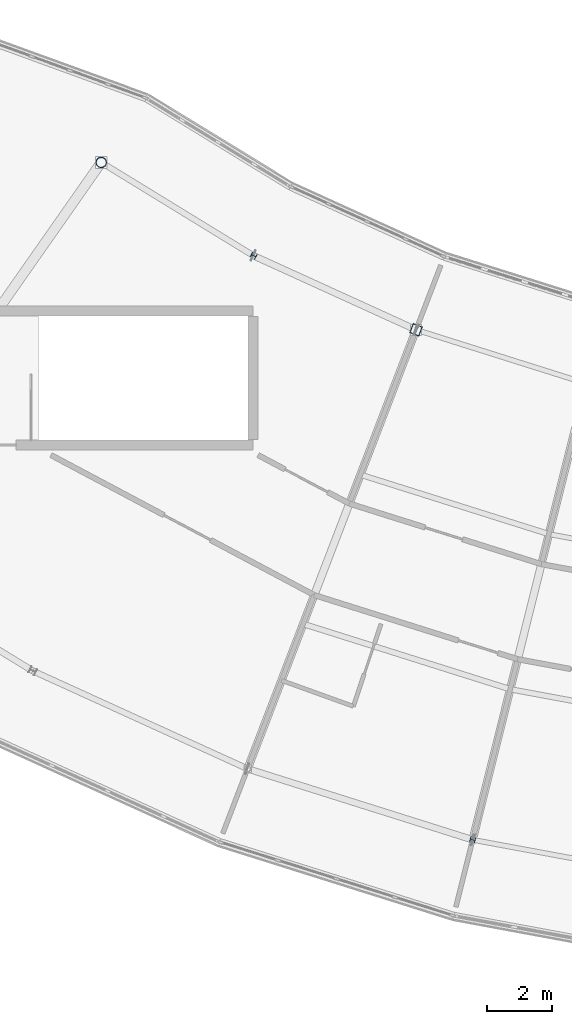
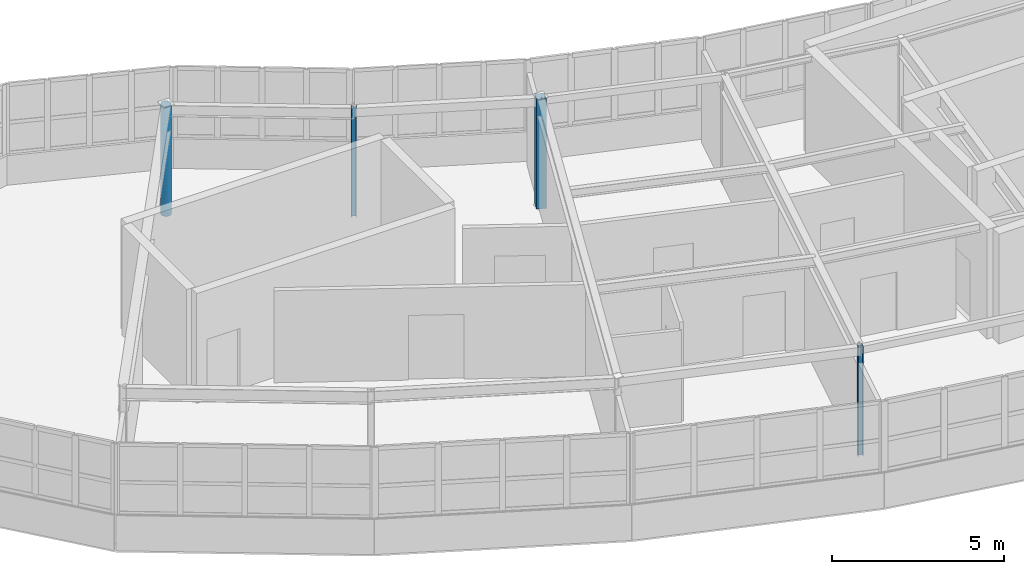
# One storey, part 2 of 60: 4 columns.
"""IFC4 building model written with IfcOpenShell, lengths in metres."""

import ifcopenshell
import ifcopenshell.guid

model = None  # the IFC model being written
_history = None  # IfcOwnerHistory: only IFC2X3 demands one
_inside = {}  # id of a spatial element -> (the spatial element, [elements in it])
_under = {}  # id of a project, library or spatial element -> (it, [spatial elements below it])
_declared = {}  # id of a project -> (the project, [libraries it declares])
_typed = {}  # id of a type object -> (the type object, [elements of that type])
_made_of = {}  # id of a material, layer set ... -> (it, [elements and type objects made of it])


def new_model(schema):
    """Start an empty IFC model of exactly this schema.

    Asked for "IFC4X3", IfcOpenShell would pick the latest addendum, in which some entities
    have other attributes; the version numbers below select the first issue.
    IFC2X3 requires an IfcOwnerHistory on every rooted entity: one is made here for all.
    """
    global model, _history
    if schema == "IFC4X3":
        model = ifcopenshell.file(schema_version=(4, 3, 0, 0))
    else:
        model = ifcopenshell.file(schema=schema)
    _inside.clear()
    _under.clear()
    _declared.clear()
    _typed.clear()
    _made_of.clear()
    _history = None
    if model.schema == "IFC2X3":
        org = make("IfcOrganization", Name="unknown")
        user = make(
            "IfcPersonAndOrganization",
            ThePerson=make("IfcPerson", FamilyName="unknown"),
            TheOrganization=org,
        )
        app = make(
            "IfcApplication",
            ApplicationDeveloper=org,
            Version="unknown",
            ApplicationFullName="unknown",
            ApplicationIdentifier="unknown",
        )
        _history = make(
            "IfcOwnerHistory",
            OwningUser=user,
            OwningApplication=app,
            ChangeAction="ADDED",
            CreationDate=0,
        )
    return model


def make(cls, **values):
    """One entity of the class cls with the attributes given. An attribute that is None is left unset."""
    return model.create_entity(
        cls, **{name: value for name, value in values.items() if value is not None}
    )


def rooted(cls, **values):
    """An entity with a GlobalId (a new one), such as an element, a storey or a relation."""
    return make(cls, GlobalId=ifcopenshell.guid.new(), OwnerHistory=_history, **values)


def si_unit(unit_type, name, prefix=None):
    """IfcSIUnit, for example si_unit("LENGTHUNIT", "METRE", prefix="MILLI")."""
    return make("IfcSIUnit", UnitType=unit_type, Prefix=prefix, Name=name)


def assignment(units):
    """IfcUnitAssignment: the units of a project."""
    return None if units is None else make("IfcUnitAssignment", Units=units)


def point(xyz):
    """IfcCartesianPoint."""
    return None if xyz is None else make("IfcCartesianPoint", Coordinates=xyz)


def direction(xyz):
    """IfcDirection."""
    return None if xyz is None else make("IfcDirection", DirectionRatios=xyz)


def frame(location, z_axis=None, x_axis=None):
    """IfcAxis2Placement3D, a coordinate frame: its origin and axes. An axis left out is left unset."""
    return make(
        "IfcAxis2Placement3D",
        Location=point(location),
        Axis=direction(z_axis),
        RefDirection=direction(x_axis),
    )


def frame_2d(location, x_axis=None):
    """IfcAxis2Placement2D, a coordinate frame in the plane: its origin and x axis."""
    return make(
        "IfcAxis2Placement2D", Location=point(location), RefDirection=direction(x_axis)
    )


def origin():
    """The frame at (0, 0, 0) with its axes left unset."""
    return frame((0.0, 0.0, 0.0))


def origin_2d():
    """The frame at (0, 0) in the plane with its x axis left unset."""
    return frame_2d((0.0, 0.0))


def place(relative_to, where):
    """IfcLocalPlacement: puts the frame where relative to a parent placement (None: the world)."""
    return make(
        "IfcLocalPlacement", PlacementRelTo=relative_to, RelativePlacement=where
    )


def context(
    kind, dimensions, precision=None, world=None, true_north=None, identifier=None
):
    """IfcGeometricRepresentationContext, for example the 3D "Model" context."""
    return make(
        "IfcGeometricRepresentationContext",
        ContextIdentifier=identifier,
        ContextType=kind,
        CoordinateSpaceDimension=dimensions,
        Precision=precision,
        WorldCoordinateSystem=world,
        TrueNorth=true_north,
    )


def subcontext(parent, identifier, kind, view, scale=None):
    """IfcGeometricRepresentationSubContext, for example "Body" below "Model"."""
    return make(
        "IfcGeometricRepresentationSubContext",
        ContextIdentifier=identifier,
        ContextType=kind,
        ParentContext=parent,
        TargetScale=scale,
        TargetView=view,
    )


def project(units=None, contexts=None):
    """IfcProject with its units and contexts."""
    return rooted(
        "IfcProject",
        Name="project",
        RepresentationContexts=contexts,
        UnitsInContext=assignment(units),
    )


def spatial(cls, under=None, at=None, **own):
    """A site, building, storey or space (cls), placed at a placement, below another one or the project."""
    s = rooted(cls, ObjectPlacement=at, **own)
    if under is not None:
        _under.setdefault(under.id(), (under, []))[1].append(s)
    return s


def profile(cls, at=None, kind="AREA", **sizes):
    """A parametric profile (cls). Its sizes go by their IFC names, for example OverallWidth=200.0."""
    return make(cls, ProfileType=kind, Position=at, **sizes)


def hollow_rectangle(**sizes):
    """IfcRectangleHollowProfileDef."""
    return profile("IfcRectangleHollowProfileDef", **sizes)


def hollow_circle(**sizes):
    """IfcCircleHollowProfileDef."""
    return profile("IfcCircleHollowProfileDef", **sizes)


def i_section(**sizes):
    """IfcIShapeProfileDef."""
    return profile("IfcIShapeProfileDef", **sizes)


def extrude(swept, where, along, depth):
    """IfcExtrudedAreaSolid: the profile swept, set in the frame where, extruded along a direction by depth."""
    return make(
        "IfcExtrudedAreaSolid",
        SweptArea=swept,
        Position=where,
        ExtrudedDirection=direction(along),
        Depth=depth,
    )


def shape(context_of_items, identifier, shape_type, items):
    """IfcShapeRepresentation: the items that make up one representation, for example the "Body"."""
    return make(
        "IfcShapeRepresentation",
        ContextOfItems=context_of_items,
        RepresentationIdentifier=identifier,
        RepresentationType=shape_type,
        Items=items,
    )


def material(Name=None, Category=None):
    """IfcMaterial."""
    return make("IfcMaterial", Name=Name, Category=Category)


def material_profile(
    of_material, cross_section, Name=None, Category=None, Priority=None
):
    """IfcMaterialProfile: a cross section and its material."""
    return make(
        "IfcMaterialProfile",
        Name=Name,
        Material=of_material,
        Profile=cross_section,
        Priority=Priority,
        Category=Category,
    )


def profile_set(profiles, Name=None, composite=None):
    """IfcMaterialProfileSet."""
    return make(
        "IfcMaterialProfileSet",
        Name=Name,
        MaterialProfiles=profiles,
        CompositeProfile=composite,
    )


def made_of(thing, what):
    """Note that an element or type object is made of a material, layer set ...; save() writes the relation."""
    if what is not None:
        _made_of.setdefault(what.id(), (what, []))[1].append(thing)
    return thing


def type_object(cls, material=None, **own):
    """A type object (cls), such as IfcWallType, which elements share."""
    return made_of(rooted(cls, **own), material)


def element(
    cls,
    number,
    at=None,
    inside=None,
    cuts=None,
    type_object=None,
    material=None,
    context=None,
    identifier="Body",
    shape_type=None,
    held_by="IfcProductDefinitionShape",
    body=None,
    shapes=None,
    **own,
):
    """One element of the class cls, such as IfcWall. Its Tag is "e" and its number.

    at: its placement. inside: the storey or other place that contains it. cuts: it is an
    opening in that element (IfcRelVoidsElement). A single representation is given by context,
    identifier, shape_type and body (its items); several are given by shapes. held_by: the class
    of the entity that holds the representations. save() writes the other relations.
    """
    e = rooted(cls, Tag="e%d" % number, ObjectPlacement=at, **own)
    if body is not None:
        shapes = [shape(context, identifier, shape_type, body)]
    if shapes is not None:
        e.Representation = make(held_by, Representations=shapes)
    if inside is not None:
        _inside.setdefault(inside.id(), (inside, []))[1].append(e)
    if cuts is not None:
        rooted(
            "IfcRelVoidsElement", RelatingBuildingElement=cuts, RelatedOpeningElement=e
        )
    if type_object is not None:
        _typed.setdefault(type_object.id(), (type_object, []))[1].append(e)
    return made_of(e, material)


def aggregate(whole, parts):
    """IfcRelAggregates: a whole, such as a stair, and the parts it consists of."""
    return rooted("IfcRelAggregates", RelatingObject=whole, RelatedObjects=parts)


def save(model, path):
    """Write the relations noted so far, then the file.

    IfcRelAggregates (storeys below a building ...), IfcRelContainedInSpatialStructure (elements
    in a storey), IfcRelDefinesByType, IfcRelAssociatesMaterial and IfcRelDeclares: one each for
    every whole, place, type object, material and project.
    """
    for whole, parts in _under.values():
        aggregate(whole, parts)
    for where, things in _inside.values():
        rooted(
            "IfcRelContainedInSpatialStructure",
            RelatedElements=things,
            RelatingStructure=where,
        )
    for kind, things in _typed.values():
        rooted("IfcRelDefinesByType", RelatedObjects=things, RelatingType=kind)
    for what, things in _made_of.values():
        rooted("IfcRelAssociatesMaterial", RelatedObjects=things, RelatingMaterial=what)
    for by, libraries in _declared.values():
        rooted("IfcRelDeclares", RelatingContext=by, RelatedDefinitions=libraries)
    model.write(path)


model = new_model("IFC4")

# Units and contexts
model_context = context("Model", 3, precision=1e-05, world=origin(), true_north=direction((0.0, 1.0)))
body_context = subcontext(model_context, "Body", "Model", "MODEL_VIEW")
ifc_project = project(units=[si_unit("LENGTHUNIT", "METRE"), si_unit("AREAUNIT", "SQUARE_METRE"), si_unit("VOLUMEUNIT", "CUBIC_METRE"), si_unit("PLANEANGLEUNIT", "RADIAN"), si_unit("MASSUNIT", "GRAM", prefix="KILO")], contexts=[model_context])

# Site, building, storey
site_placement = place(None, origin())
site = spatial("IfcSite", under=ifc_project, at=site_placement, CompositionType="ELEMENT")
building_placement = place(site_placement, origin())
building = spatial("IfcBuilding", under=site, at=building_placement, Name="Tarnwether General Hospital", CompositionType="ELEMENT")
storey_placement = place(building_placement, frame((0.0, 0.0, 26.10009765625)))
storey = spatial("IfcBuildingStorey", under=building, at=storey_placement, Name="L06", CompositionType="ELEMENT", Elevation=26.10009765625)

# Columns
ifc_material_1 = material(Name="Steel Grade C350L0 (350 MPa)", Category="steel")
ifc_material_profile_1 = material_profile(ifc_material_1, hollow_circle(Radius=0.161865234375, WallThickness=0.0126953125, at=origin_2d()), Name="CHS323.9x12.7")
ifc_profile_set_1 = profile_set([ifc_material_profile_1], Name="Steel Grade C350L0 (350 MPa)")
column_type_1 = type_object("IfcColumnType", Name="COL-26", PredefinedType="COLUMN", material=ifc_profile_set_1)
column_1_placement = place(storey_placement, frame((66.303955078125, 26.302001953125, 0.0), z_axis=(0.0, 0.0, 1.0), x_axis=(0.573576436351, 0.819152044289, 0.0)))
element("IfcColumn", 1, at=column_1_placement, inside=storey, type_object=column_type_1, Name="Column COLG-L06-6630_2630", PredefinedType="COLUMN", context=body_context, shape_type="SweptSolid", body=[
    extrude(hollow_circle(Radius=0.161865234375, WallThickness=0.0126953125, at=origin_2d()), origin(), (0.0, 0.0, 1.0), 3.89990234375),
])
ifc_material_2 = material(Name="Steel Grade 350 (350 MPa)", Category="steel")
ifc_material_profile_2 = material_profile(ifc_material_2, i_section(OverallWidth=0.154052734375, OverallDepth=0.162109375, WebThickness=0.008056640625, FlangeThickness=0.011474609375, at=origin_2d()), Name="150UC37.2")
ifc_profile_set_2 = profile_set([ifc_material_profile_2], Name="Steel Grade 350 (350 MPa)")
column_type_2 = type_object("IfcColumnType", Name="COL-28", PredefinedType="COLUMN", material=ifc_profile_set_2)
column_2_placement = place(storey_placement, frame((70.968017578125, 23.444091796875, 0.0), z_axis=(0.0, 0.0, 1.0), x_axis=(0.469471562786, 0.882947592859, 0.0)))
element("IfcColumn", 2, at=column_2_placement, inside=storey, type_object=column_type_2, Name="Column COLG-L06-7097_2344", PredefinedType="COLUMN", context=body_context, shape_type="SweptSolid", body=[
    extrude(i_section(OverallWidth=0.154052734375, OverallDepth=0.162109375, WebThickness=0.008056640625, FlangeThickness=0.011474609375, at=origin_2d()), origin(), (0.0, 0.0, 1.0), 3.89990234375),
])
ifc_material_3 = material(Name="Steel Grade C350L0 (350 MPa)", Category="steel")
ifc_material_profile_3 = material_profile(ifc_material_3, hollow_rectangle(XDim=0.300048828125, YDim=0.300048828125, WallThickness=0.012451171875, at=origin_2d()), Name="SHS300x300x12.5")
ifc_profile_set_3 = profile_set([ifc_material_profile_3], Name="Steel Grade C350L0 (350 MPa)")
column_type_3 = type_object("IfcColumnType", Name="COL-30", PredefinedType="COLUMN", material=ifc_profile_set_3)
column_3_placement = place(storey_placement, frame((75.945068359375, 21.176025390625, 0.0), z_axis=(0.0, 0.0, 1.0), x_axis=(0.358367949545, 0.933580426497, 0.0)))
element("IfcColumn", 3, at=column_3_placement, inside=storey, type_object=column_type_3, Name="Column COLG-L06-7594_2118", PredefinedType="COLUMN", context=body_context, shape_type="SweptSolid", body=[
    extrude(hollow_rectangle(XDim=0.300048828125, YDim=0.300048828125, WallThickness=0.012451171875, at=origin_2d()), origin(), (0.0, 0.0, 1.0), 3.89990234375),
])
ifc_material_4 = material(Name="Steel Grade 350 (350 MPa)", Category="steel")
ifc_material_profile_4 = material_profile(ifc_material_4, i_section(OverallWidth=0.153076171875, OverallDepth=0.157958984375, WebThickness=0.006591796875, FlangeThickness=0.009521484375, at=origin_2d()), Name="150UC30.0")
ifc_profile_set_4 = profile_set([ifc_material_profile_4], Name="Steel Grade 350 (350 MPa)")
column_type_4 = type_object("IfcColumnType", Name="COL-31", PredefinedType="COLUMN", material=ifc_profile_set_4)
column_4_placement = place(storey_placement, frame((77.677978515625, 5.55810546875, 0.0), z_axis=(0.0, 0.0, 1.0), x_axis=(0.2419218956, 0.970295726276, 0.0)))
element("IfcColumn", 4, at=column_4_placement, inside=storey, type_object=column_type_4, Name="Column COLG-L06-7768_556", PredefinedType="COLUMN", context=body_context, shape_type="SweptSolid", body=[
    extrude(i_section(OverallWidth=0.153076171875, OverallDepth=0.157958984375, WebThickness=0.006591796875, FlangeThickness=0.009521484375, at=origin_2d()), origin(), (0.0, 0.0, 1.0), 3.89990234375),
])

save(model, "model.ifc")
